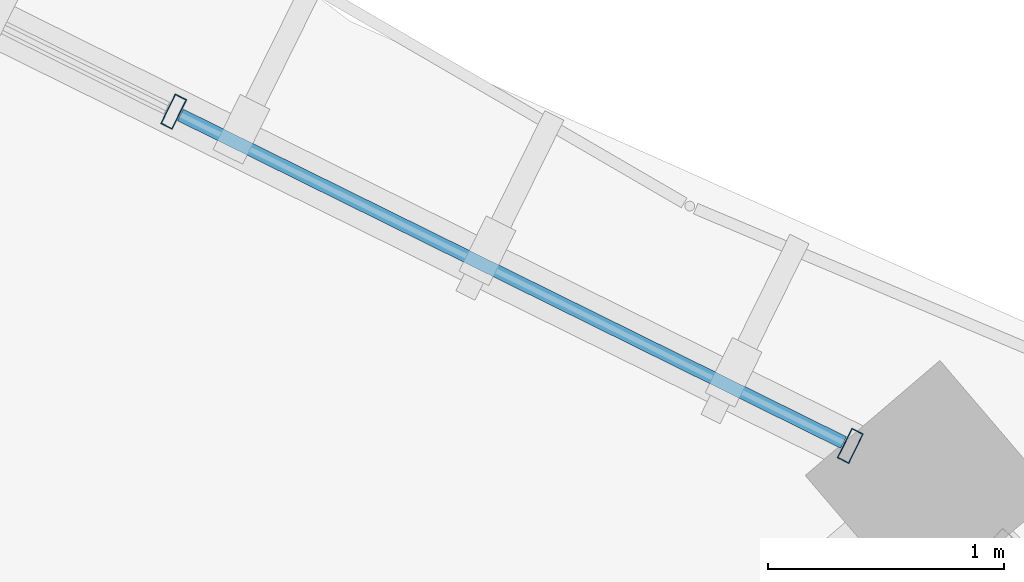
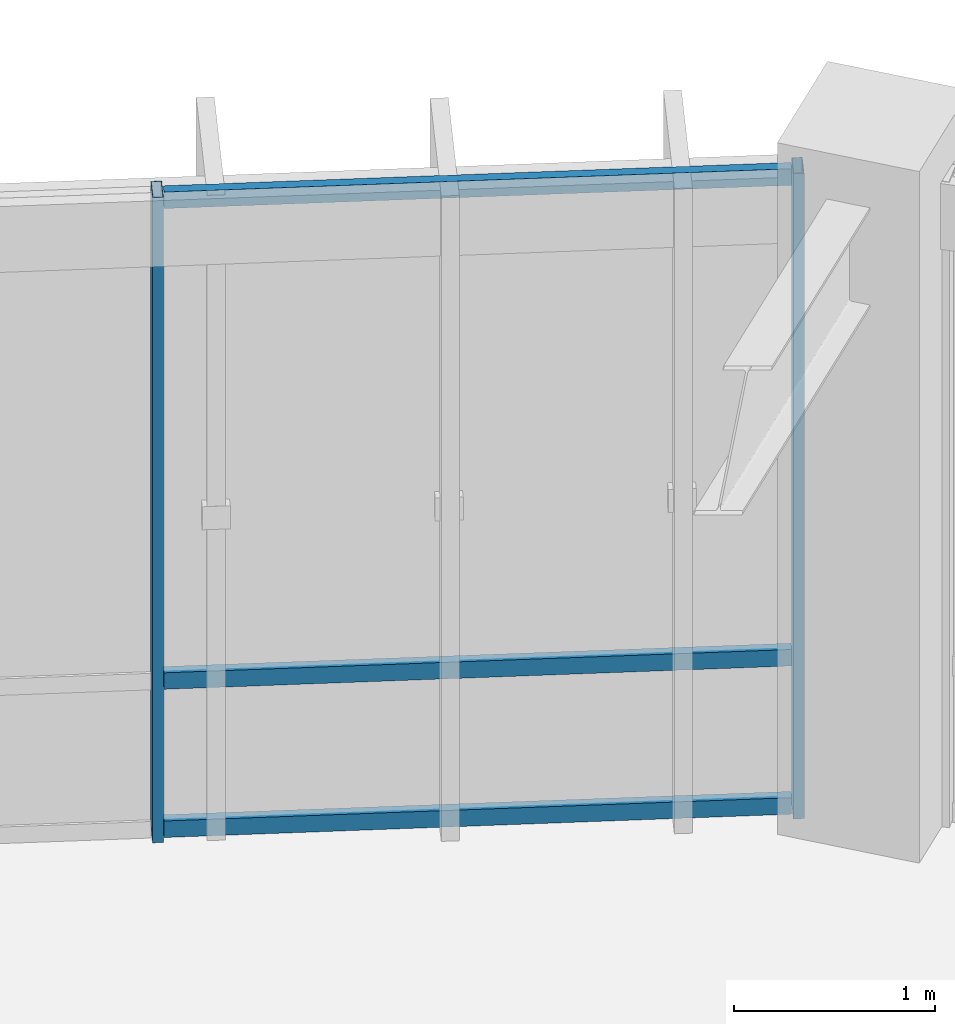
# One storey, part 79 of 152: 5 members, 1 element without a shape of its own.
"""IFC4 building model written with IfcOpenShell, lengths in metres."""

import ifcopenshell
import ifcopenshell.guid

model = None  # the IFC model being written
_history = None  # IfcOwnerHistory: only IFC2X3 demands one
_inside = {}  # id of a spatial element -> (the spatial element, [elements in it])
_under = {}  # id of a project, library or spatial element -> (it, [spatial elements below it])
_declared = {}  # id of a project -> (the project, [libraries it declares])
_typed = {}  # id of a type object -> (the type object, [elements of that type])
_made_of = {}  # id of a material, layer set ... -> (it, [elements and type objects made of it])


def new_model(schema):
    """Start an empty IFC model of exactly this schema.

    Asked for "IFC4X3", IfcOpenShell would pick the latest addendum, in which some entities
    have other attributes; the version numbers below select the first issue.
    IFC2X3 requires an IfcOwnerHistory on every rooted entity: one is made here for all.
    """
    global model, _history
    if schema == "IFC4X3":
        model = ifcopenshell.file(schema_version=(4, 3, 0, 0))
    else:
        model = ifcopenshell.file(schema=schema)
    _inside.clear()
    _under.clear()
    _declared.clear()
    _typed.clear()
    _made_of.clear()
    _history = None
    if model.schema == "IFC2X3":
        org = make("IfcOrganization", Name="unknown")
        user = make(
            "IfcPersonAndOrganization",
            ThePerson=make("IfcPerson", FamilyName="unknown"),
            TheOrganization=org,
        )
        app = make(
            "IfcApplication",
            ApplicationDeveloper=org,
            Version="unknown",
            ApplicationFullName="unknown",
            ApplicationIdentifier="unknown",
        )
        _history = make(
            "IfcOwnerHistory",
            OwningUser=user,
            OwningApplication=app,
            ChangeAction="ADDED",
            CreationDate=0,
        )
    return model


def make(cls, **values):
    """One entity of the class cls with the attributes given. An attribute that is None is left unset."""
    return model.create_entity(
        cls, **{name: value for name, value in values.items() if value is not None}
    )


def rooted(cls, **values):
    """An entity with a GlobalId (a new one), such as an element, a storey or a relation."""
    return make(cls, GlobalId=ifcopenshell.guid.new(), OwnerHistory=_history, **values)


def si_unit(unit_type, name, prefix=None):
    """IfcSIUnit, for example si_unit("LENGTHUNIT", "METRE", prefix="MILLI")."""
    return make("IfcSIUnit", UnitType=unit_type, Prefix=prefix, Name=name)


def assignment(units):
    """IfcUnitAssignment: the units of a project."""
    return None if units is None else make("IfcUnitAssignment", Units=units)


def point(xyz):
    """IfcCartesianPoint."""
    return None if xyz is None else make("IfcCartesianPoint", Coordinates=xyz)


def direction(xyz):
    """IfcDirection."""
    return None if xyz is None else make("IfcDirection", DirectionRatios=xyz)


def frame(location, z_axis=None, x_axis=None):
    """IfcAxis2Placement3D, a coordinate frame: its origin and axes. An axis left out is left unset."""
    return make(
        "IfcAxis2Placement3D",
        Location=point(location),
        Axis=direction(z_axis),
        RefDirection=direction(x_axis),
    )


def frame_2d(location, x_axis=None):
    """IfcAxis2Placement2D, a coordinate frame in the plane: its origin and x axis."""
    return make(
        "IfcAxis2Placement2D", Location=point(location), RefDirection=direction(x_axis)
    )


def origin():
    """The frame at (0, 0, 0) with its axes left unset."""
    return frame((0.0, 0.0, 0.0))


def origin_2d():
    """The frame at (0, 0) in the plane with its x axis left unset."""
    return frame_2d((0.0, 0.0))


def place(relative_to, where):
    """IfcLocalPlacement: puts the frame where relative to a parent placement (None: the world)."""
    return make(
        "IfcLocalPlacement", PlacementRelTo=relative_to, RelativePlacement=where
    )


def context(
    kind, dimensions, precision=None, world=None, true_north=None, identifier=None
):
    """IfcGeometricRepresentationContext, for example the 3D "Model" context."""
    return make(
        "IfcGeometricRepresentationContext",
        ContextIdentifier=identifier,
        ContextType=kind,
        CoordinateSpaceDimension=dimensions,
        Precision=precision,
        WorldCoordinateSystem=world,
        TrueNorth=true_north,
    )


def subcontext(parent, identifier, kind, view, scale=None):
    """IfcGeometricRepresentationSubContext, for example "Body" below "Model"."""
    return make(
        "IfcGeometricRepresentationSubContext",
        ContextIdentifier=identifier,
        ContextType=kind,
        ParentContext=parent,
        TargetScale=scale,
        TargetView=view,
    )


def project(units=None, contexts=None):
    """IfcProject with its units and contexts."""
    return rooted(
        "IfcProject",
        Name="project",
        RepresentationContexts=contexts,
        UnitsInContext=assignment(units),
    )


def spatial(cls, under=None, at=None, **own):
    """A site, building, storey or space (cls), placed at a placement, below another one or the project."""
    s = rooted(cls, ObjectPlacement=at, **own)
    if under is not None:
        _under.setdefault(under.id(), (under, []))[1].append(s)
    return s


def profile(cls, at=None, kind="AREA", **sizes):
    """A parametric profile (cls). Its sizes go by their IFC names, for example OverallWidth=200.0."""
    return make(cls, ProfileType=kind, Position=at, **sizes)


def hollow_rectangle(**sizes):
    """IfcRectangleHollowProfileDef."""
    return profile("IfcRectangleHollowProfileDef", **sizes)


def extrude(swept, where, along, depth):
    """IfcExtrudedAreaSolid: the profile swept, set in the frame where, extruded along a direction by depth."""
    return make(
        "IfcExtrudedAreaSolid",
        SweptArea=swept,
        Position=where,
        ExtrudedDirection=direction(along),
        Depth=depth,
    )


def shape(context_of_items, identifier, shape_type, items):
    """IfcShapeRepresentation: the items that make up one representation, for example the "Body"."""
    return make(
        "IfcShapeRepresentation",
        ContextOfItems=context_of_items,
        RepresentationIdentifier=identifier,
        RepresentationType=shape_type,
        Items=items,
    )


def material(Name=None, Category=None):
    """IfcMaterial."""
    return make("IfcMaterial", Name=Name, Category=Category)


def material_profile(
    of_material, cross_section, Name=None, Category=None, Priority=None
):
    """IfcMaterialProfile: a cross section and its material."""
    return make(
        "IfcMaterialProfile",
        Name=Name,
        Material=of_material,
        Profile=cross_section,
        Priority=Priority,
        Category=Category,
    )


def profile_set(profiles, Name=None, composite=None):
    """IfcMaterialProfileSet."""
    return make(
        "IfcMaterialProfileSet",
        Name=Name,
        MaterialProfiles=profiles,
        CompositeProfile=composite,
    )


def made_of(thing, what):
    """Note that an element or type object is made of a material, layer set ...; save() writes the relation."""
    if what is not None:
        _made_of.setdefault(what.id(), (what, []))[1].append(thing)
    return thing


def type_object(cls, material=None, **own):
    """A type object (cls), such as IfcWallType, which elements share."""
    return made_of(rooted(cls, **own), material)


def element(
    cls,
    number,
    at=None,
    inside=None,
    cuts=None,
    type_object=None,
    material=None,
    context=None,
    identifier="Body",
    shape_type=None,
    held_by="IfcProductDefinitionShape",
    body=None,
    shapes=None,
    **own,
):
    """One element of the class cls, such as IfcWall. Its Tag is "e" and its number.

    at: its placement. inside: the storey or other place that contains it. cuts: it is an
    opening in that element (IfcRelVoidsElement). A single representation is given by context,
    identifier, shape_type and body (its items); several are given by shapes. held_by: the class
    of the entity that holds the representations. save() writes the other relations.
    """
    e = rooted(cls, Tag="e%d" % number, ObjectPlacement=at, **own)
    if body is not None:
        shapes = [shape(context, identifier, shape_type, body)]
    if shapes is not None:
        e.Representation = make(held_by, Representations=shapes)
    if inside is not None:
        _inside.setdefault(inside.id(), (inside, []))[1].append(e)
    if cuts is not None:
        rooted(
            "IfcRelVoidsElement", RelatingBuildingElement=cuts, RelatedOpeningElement=e
        )
    if type_object is not None:
        _typed.setdefault(type_object.id(), (type_object, []))[1].append(e)
    return made_of(e, material)


def aggregate(whole, parts):
    """IfcRelAggregates: a whole, such as a stair, and the parts it consists of."""
    return rooted("IfcRelAggregates", RelatingObject=whole, RelatedObjects=parts)


def save(model, path):
    """Write the relations noted so far, then the file.

    IfcRelAggregates (storeys below a building ...), IfcRelContainedInSpatialStructure (elements
    in a storey), IfcRelDefinesByType, IfcRelAssociatesMaterial and IfcRelDeclares: one each for
    every whole, place, type object, material and project.
    """
    for whole, parts in _under.values():
        aggregate(whole, parts)
    for where, things in _inside.values():
        rooted(
            "IfcRelContainedInSpatialStructure",
            RelatedElements=things,
            RelatingStructure=where,
        )
    for kind, things in _typed.values():
        rooted("IfcRelDefinesByType", RelatedObjects=things, RelatingType=kind)
    for what, things in _made_of.values():
        rooted("IfcRelAssociatesMaterial", RelatedObjects=things, RelatingMaterial=what)
    for by, libraries in _declared.values():
        rooted("IfcRelDeclares", RelatingContext=by, RelatedDefinitions=libraries)
    model.write(path)


model = new_model("IFC4")

# Units and contexts
model_context = context("Model", 3, precision=1e-05, world=origin(), true_north=direction((0.0, 1.0)))
body_context = subcontext(model_context, "Body", "Model", "MODEL_VIEW")
ifc_project = project(units=[si_unit("LENGTHUNIT", "METRE"), si_unit("AREAUNIT", "SQUARE_METRE"), si_unit("VOLUMEUNIT", "CUBIC_METRE"), si_unit("PLANEANGLEUNIT", "RADIAN"), si_unit("MASSUNIT", "GRAM", prefix="KILO"), si_unit("THERMODYNAMICTEMPERATUREUNIT", "KELVIN"), si_unit("POWERUNIT", "WATT")], contexts=[model_context])

# Site, building, storey
site_placement = place(None, origin())
site = spatial("IfcSite", under=ifc_project, at=site_placement, CompositionType="ELEMENT")
building_placement = place(site_placement, origin())
building = spatial("IfcBuilding", under=site, at=building_placement, Name="Darbajah Civic Hall", CompositionType="ELEMENT")
storey_placement = place(building_placement, frame((0.0, 0.0, 5.39990234375)))
storey = spatial("IfcBuildingStorey", under=building, at=storey_placement, Name="L01", CompositionType="ELEMENT", Elevation=5.39990234375)

# Curtain wall, members
ifc_material_1 = material(Name="Anodised Bronze Aluminium and Low-E Glazing", Category="aluminium")
curtain_wall_type = type_object("IfcCurtainWallType", Name="Unitised Curtain Wall CW-20 12800x3900", PredefinedType="USERDEFINED", material=ifc_material_1)
curtain_wall_placement = place(storey_placement, origin())
curtain_wall = element("IfcCurtainWall", 1, at=curtain_wall_placement, inside=storey, type_object=curtain_wall_type, Name="L01 unitised curtain wall CW-V1O-L01-02", ObjectType="UNITISED CURTAIN WALL", PredefinedType="USERDEFINED")
ifc_material_2 = material(Name="Anodised Bronze Aluminium", Category="aluminium")
ifc_material_profile_1 = material_profile(ifc_material_2, hollow_rectangle(XDim=0.054931640625, YDim=0.139892578125, WallThickness=0.003173828125, at=origin_2d()), Name="ALU MULLION 55x140")
ifc_profile_set_1 = profile_set([ifc_material_profile_1], Name="Anodised Bronze Aluminium")
member_type_1 = type_object("IfcMemberType", Name="ALU MULLION 55x140", PredefinedType="MULLION", material=ifc_profile_set_1)
member_1_placement = place(storey_placement, frame((127.542724609375, 109.125732421875, 0.0), z_axis=(0.0, 0.0, 1.0), x_axis=(-0.89656374724, 0.442914717678, 0.0)))
member_1 = element("IfcMember", 2, at=member_1_placement, type_object=member_type_1, Name="CW-V1O-L01-02 mullion 1", PredefinedType="MULLION", context=body_context, shape_type="SweptSolid", body=[
    extrude(hollow_rectangle(XDim=0.054931640625, YDim=0.139892578125, WallThickness=0.003173828125, at=origin_2d()), origin(), (0.0, 0.0, 1.0), 3.920166015625),
])
member_2_placement = place(storey_placement, frame((124.678466796875, 110.540771484375, 0.0), z_axis=(0.0, 0.0, 1.0), x_axis=(-0.89656374724, 0.442914717678, 0.0)))
member_2 = element("IfcMember", 3, at=member_2_placement, type_object=member_type_1, Name="CW-V1O-L01-02 mullion 2", PredefinedType="MULLION", context=body_context, shape_type="SweptSolid", body=[
    extrude(hollow_rectangle(XDim=0.054931640625, YDim=0.139892578125, WallThickness=0.003173828125, at=origin_2d()), origin(), (0.0, 0.0, 1.0), 3.920166015625),
])
ifc_material_profile_2 = material_profile(ifc_material_2, hollow_rectangle(XDim=0.054931640625, YDim=0.10009765625, WallThickness=0.0029296875, at=origin_2d()), Name="ALU TRANSOM 55x100")
ifc_profile_set_2 = profile_set([ifc_material_profile_2], Name="Anodised Bronze Aluminium")
member_type_2 = type_object("IfcMemberType", Name="ALU TRANSOM 55x100", PredefinedType="USERDEFINED", material=ifc_profile_set_2)
member_3_placement = place(storey_placement, frame((127.513671875, 109.14013671875, 0.050048828125), z_axis=(-0.896569717473, 0.442902632314, 0.0), x_axis=(-0.442902632314, -0.896569717473, 0.0)))
member_3 = element("IfcMember", 4, at=member_3_placement, type_object=member_type_2, Name="CW-V1O-L01-02 transom 1.1", ObjectType="TRANSOM", PredefinedType="USERDEFINED", context=body_context, shape_type="SweptSolid", body=[
    extrude(hollow_rectangle(XDim=0.054931640625, YDim=0.10009765625, WallThickness=0.0029296875, at=origin_2d()), origin(), (0.0, 0.0, 1.0), 3.1298828125),
])
member_4_placement = place(storey_placement, frame((127.513671875, 109.14013671875, 0.9501953125), z_axis=(-0.896569717473, 0.442902632314, 0.0), x_axis=(-0.442902632314, -0.896569717473, 0.0)))
member_4 = element("IfcMember", 5, at=member_4_placement, type_object=member_type_2, Name="CW-V1O-L01-02 transom 1.2", ObjectType="TRANSOM", PredefinedType="USERDEFINED", context=body_context, shape_type="SweptSolid", body=[
    extrude(hollow_rectangle(XDim=0.054931640625, YDim=0.10009765625, WallThickness=0.0029296875, at=origin_2d()), origin(), (0.0, 0.0, 1.0), 3.1298828125),
])
member_5_placement = place(storey_placement, frame((127.513671875, 109.14013671875, 3.8701171875), z_axis=(-0.896569717473, 0.442902632314, 0.0), x_axis=(-0.442902632314, -0.896569717473, 0.0)))
member_5 = element("IfcMember", 6, at=member_5_placement, type_object=member_type_2, Name="CW-V1O-L01-02 transom 1.3", ObjectType="TRANSOM", PredefinedType="USERDEFINED", context=body_context, shape_type="SweptSolid", body=[
    extrude(hollow_rectangle(XDim=0.054931640625, YDim=0.10009765625, WallThickness=0.0029296875, at=origin_2d()), origin(), (0.0, 0.0, 1.0), 3.1298828125),
])
aggregate(curtain_wall, [member_1, member_2, member_3, member_4, member_5])

save(model, "model.ifc")
